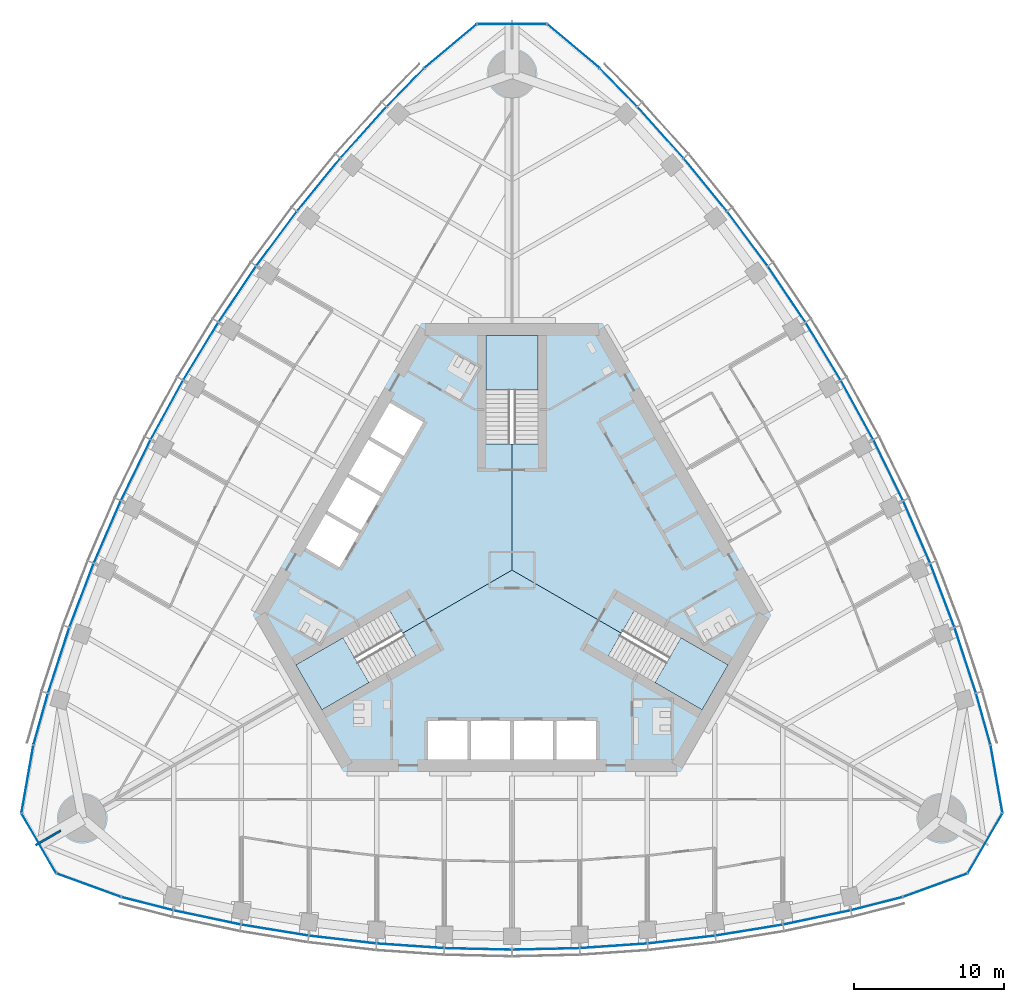
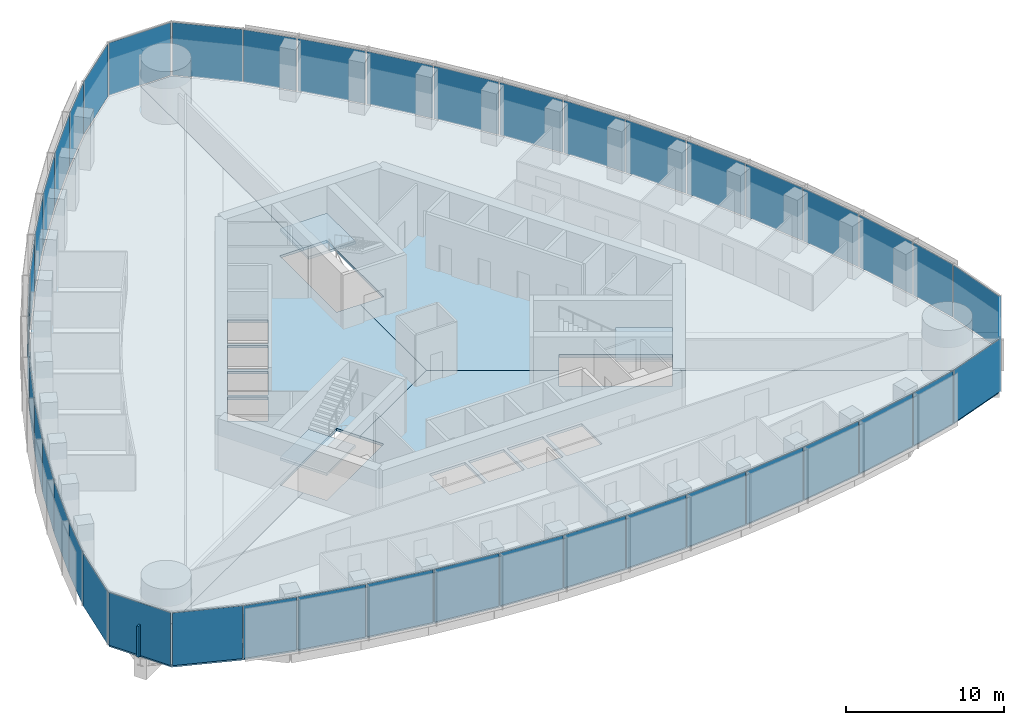
# One storey, part 10 of 20: 45 plates, 6 slabs, 1 wall, 9 elements without a shape of their own.
"""IFC4 building model written with IfcOpenShell, lengths in metres."""

import ifcopenshell
import ifcopenshell.guid

model = None  # the IFC model being written
_history = None  # IfcOwnerHistory: only IFC2X3 demands one
_inside = {}  # id of a spatial element -> (the spatial element, [elements in it])
_under = {}  # id of a project, library or spatial element -> (it, [spatial elements below it])
_declared = {}  # id of a project -> (the project, [libraries it declares])
_typed = {}  # id of a type object -> (the type object, [elements of that type])
_made_of = {}  # id of a material, layer set ... -> (it, [elements and type objects made of it])


def new_model(schema):
    """Start an empty IFC model of exactly this schema.

    Asked for "IFC4X3", IfcOpenShell would pick the latest addendum, in which some entities
    have other attributes; the version numbers below select the first issue.
    IFC2X3 requires an IfcOwnerHistory on every rooted entity: one is made here for all.
    """
    global model, _history
    if schema == "IFC4X3":
        model = ifcopenshell.file(schema_version=(4, 3, 0, 0))
    else:
        model = ifcopenshell.file(schema=schema)
    _inside.clear()
    _under.clear()
    _declared.clear()
    _typed.clear()
    _made_of.clear()
    _history = None
    if model.schema == "IFC2X3":
        org = make("IfcOrganization", Name="unknown")
        user = make(
            "IfcPersonAndOrganization",
            ThePerson=make("IfcPerson", FamilyName="unknown"),
            TheOrganization=org,
        )
        app = make(
            "IfcApplication",
            ApplicationDeveloper=org,
            Version="unknown",
            ApplicationFullName="unknown",
            ApplicationIdentifier="unknown",
        )
        _history = make(
            "IfcOwnerHistory",
            OwningUser=user,
            OwningApplication=app,
            ChangeAction="ADDED",
            CreationDate=0,
        )
    return model


def make(cls, **values):
    """One entity of the class cls with the attributes given. An attribute that is None is left unset."""
    return model.create_entity(
        cls, **{name: value for name, value in values.items() if value is not None}
    )


def rooted(cls, **values):
    """An entity with a GlobalId (a new one), such as an element, a storey or a relation."""
    return make(cls, GlobalId=ifcopenshell.guid.new(), OwnerHistory=_history, **values)


def si_unit(unit_type, name, prefix=None):
    """IfcSIUnit, for example si_unit("LENGTHUNIT", "METRE", prefix="MILLI")."""
    return make("IfcSIUnit", UnitType=unit_type, Prefix=prefix, Name=name)


def assignment(units):
    """IfcUnitAssignment: the units of a project."""
    return None if units is None else make("IfcUnitAssignment", Units=units)


def point(xyz):
    """IfcCartesianPoint."""
    return None if xyz is None else make("IfcCartesianPoint", Coordinates=xyz)


def direction(xyz):
    """IfcDirection."""
    return None if xyz is None else make("IfcDirection", DirectionRatios=xyz)


def frame(location, z_axis=None, x_axis=None):
    """IfcAxis2Placement3D, a coordinate frame: its origin and axes. An axis left out is left unset."""
    return make(
        "IfcAxis2Placement3D",
        Location=point(location),
        Axis=direction(z_axis),
        RefDirection=direction(x_axis),
    )


def frame_2d(location, x_axis=None):
    """IfcAxis2Placement2D, a coordinate frame in the plane: its origin and x axis."""
    return make(
        "IfcAxis2Placement2D", Location=point(location), RefDirection=direction(x_axis)
    )


def origin():
    """The frame at (0, 0, 0) with its axes left unset."""
    return frame((0.0, 0.0, 0.0))


def origin_2d():
    """The frame at (0, 0) in the plane with its x axis left unset."""
    return frame_2d((0.0, 0.0))


def place(relative_to, where):
    """IfcLocalPlacement: puts the frame where relative to a parent placement (None: the world)."""
    return make(
        "IfcLocalPlacement", PlacementRelTo=relative_to, RelativePlacement=where
    )


def context(
    kind, dimensions, precision=None, world=None, true_north=None, identifier=None
):
    """IfcGeometricRepresentationContext, for example the 3D "Model" context."""
    return make(
        "IfcGeometricRepresentationContext",
        ContextIdentifier=identifier,
        ContextType=kind,
        CoordinateSpaceDimension=dimensions,
        Precision=precision,
        WorldCoordinateSystem=world,
        TrueNorth=true_north,
    )


def subcontext(parent, identifier, kind, view, scale=None):
    """IfcGeometricRepresentationSubContext, for example "Body" below "Model"."""
    return make(
        "IfcGeometricRepresentationSubContext",
        ContextIdentifier=identifier,
        ContextType=kind,
        ParentContext=parent,
        TargetScale=scale,
        TargetView=view,
    )


def project(units=None, contexts=None):
    """IfcProject with its units and contexts."""
    return rooted(
        "IfcProject",
        Name="project",
        RepresentationContexts=contexts,
        UnitsInContext=assignment(units),
    )


def spatial(cls, under=None, at=None, **own):
    """A site, building, storey or space (cls), placed at a placement, below another one or the project."""
    s = rooted(cls, ObjectPlacement=at, **own)
    if under is not None:
        _under.setdefault(under.id(), (under, []))[1].append(s)
    return s


def polyline(points):
    """IfcPolyline through the points."""
    return make("IfcPolyline", Points=[point(p) for p in points])


def profile(cls, at=None, kind="AREA", **sizes):
    """A parametric profile (cls). Its sizes go by their IFC names, for example OverallWidth=200.0."""
    return make(cls, ProfileType=kind, Position=at, **sizes)


def rectangle(**sizes):
    """IfcRectangleProfileDef."""
    return profile("IfcRectangleProfileDef", **sizes)


def outline(outer, holes=None, kind="AREA"):
    """IfcArbitraryClosedProfileDef: a profile drawn as a closed curve; with holes, ...WithVoids."""
    if holes is None:
        return make("IfcArbitraryClosedProfileDef", ProfileType=kind, OuterCurve=outer)
    return make(
        "IfcArbitraryProfileDefWithVoids",
        ProfileType=kind,
        OuterCurve=outer,
        InnerCurves=holes,
    )


def extrude(swept, where, along, depth):
    """IfcExtrudedAreaSolid: the profile swept, set in the frame where, extruded along a direction by depth."""
    return make(
        "IfcExtrudedAreaSolid",
        SweptArea=swept,
        Position=where,
        ExtrudedDirection=direction(along),
        Depth=depth,
    )


def shape(context_of_items, identifier, shape_type, items):
    """IfcShapeRepresentation: the items that make up one representation, for example the "Body"."""
    return make(
        "IfcShapeRepresentation",
        ContextOfItems=context_of_items,
        RepresentationIdentifier=identifier,
        RepresentationType=shape_type,
        Items=items,
    )


def material(Name=None, Category=None):
    """IfcMaterial."""
    return make("IfcMaterial", Name=Name, Category=Category)


def layer(
    of_material, thickness, ventilated=None, Name=None, Category=None, Priority=None
):
    """IfcMaterialLayer: one layer of a wall or slab, of a material (None: an air gap)."""
    return make(
        "IfcMaterialLayer",
        Material=of_material,
        LayerThickness=thickness,
        IsVentilated=ventilated,
        Name=Name,
        Category=Category,
        Priority=Priority,
    )


def layer_set(layers, Name=None):
    """IfcMaterialLayerSet."""
    return make("IfcMaterialLayerSet", MaterialLayers=layers, LayerSetName=Name)


def made_of(thing, what):
    """Note that an element or type object is made of a material, layer set ...; save() writes the relation."""
    if what is not None:
        _made_of.setdefault(what.id(), (what, []))[1].append(thing)
    return thing


def type_object(cls, material=None, **own):
    """A type object (cls), such as IfcWallType, which elements share."""
    return made_of(rooted(cls, **own), material)


def element(
    cls,
    number,
    at=None,
    inside=None,
    cuts=None,
    type_object=None,
    material=None,
    context=None,
    identifier="Body",
    shape_type=None,
    held_by="IfcProductDefinitionShape",
    body=None,
    shapes=None,
    **own,
):
    """One element of the class cls, such as IfcWall. Its Tag is "e" and its number.

    at: its placement. inside: the storey or other place that contains it. cuts: it is an
    opening in that element (IfcRelVoidsElement). A single representation is given by context,
    identifier, shape_type and body (its items); several are given by shapes. held_by: the class
    of the entity that holds the representations. save() writes the other relations.
    """
    e = rooted(cls, Tag="e%d" % number, ObjectPlacement=at, **own)
    if body is not None:
        shapes = [shape(context, identifier, shape_type, body)]
    if shapes is not None:
        e.Representation = make(held_by, Representations=shapes)
    if inside is not None:
        _inside.setdefault(inside.id(), (inside, []))[1].append(e)
    if cuts is not None:
        rooted(
            "IfcRelVoidsElement", RelatingBuildingElement=cuts, RelatedOpeningElement=e
        )
    if type_object is not None:
        _typed.setdefault(type_object.id(), (type_object, []))[1].append(e)
    return made_of(e, material)


def aggregate(whole, parts):
    """IfcRelAggregates: a whole, such as a stair, and the parts it consists of."""
    return rooted("IfcRelAggregates", RelatingObject=whole, RelatedObjects=parts)


def save(model, path):
    """Write the relations noted so far, then the file.

    IfcRelAggregates (storeys below a building ...), IfcRelContainedInSpatialStructure (elements
    in a storey), IfcRelDefinesByType, IfcRelAssociatesMaterial and IfcRelDeclares: one each for
    every whole, place, type object, material and project.
    """
    for whole, parts in _under.values():
        aggregate(whole, parts)
    for where, things in _inside.values():
        rooted(
            "IfcRelContainedInSpatialStructure",
            RelatedElements=things,
            RelatingStructure=where,
        )
    for kind, things in _typed.values():
        rooted("IfcRelDefinesByType", RelatedObjects=things, RelatingType=kind)
    for what, things in _made_of.values():
        rooted("IfcRelAssociatesMaterial", RelatedObjects=things, RelatingMaterial=what)
    for by, libraries in _declared.values():
        rooted("IfcRelDeclares", RelatingContext=by, RelatedDefinitions=libraries)
    model.write(path)


model = new_model("IFC4")

# Units and contexts
model_context = context("Model", 3, precision=1e-05, world=origin(), true_north=direction((0.0, 1.0)))
body_context = subcontext(model_context, "Body", "Model", "MODEL_VIEW")
ifc_project = project(units=[si_unit("LENGTHUNIT", "METRE"), si_unit("AREAUNIT", "SQUARE_METRE"), si_unit("VOLUMEUNIT", "CUBIC_METRE"), si_unit("PLANEANGLEUNIT", "RADIAN"), si_unit("MASSUNIT", "GRAM", prefix="KILO")], contexts=[model_context])

# Site, building, storey
site_placement = place(None, origin())
site = spatial("IfcSite", under=ifc_project, at=site_placement, CompositionType="ELEMENT")
building_placement = place(site_placement, origin())
building = spatial("IfcBuilding", under=site, at=building_placement, Name="Trefoil Bronze Tower", CompositionType="ELEMENT")
storey_placement = place(building_placement, frame((0.0, 0.0, 214.89990234375)))
storey = spatial("IfcBuildingStorey", under=building, at=storey_placement, Name="L49", CompositionType="ELEMENT", Elevation=214.89990234375)

# Curtain wall, plates
ifc_material_1 = material(Name="Tinted solar-control glass", Category="glass")
curtain_wall_type_1 = type_object("IfcCurtainWallType", Name="Bronze office curtain wall", PredefinedType="USERDEFINED", material=ifc_material_1)
curtain_wall_1_placement = place(storey_placement, origin())
curtain_wall_1 = element("IfcCurtainWall", 1, at=curtain_wall_1_placement, inside=storey, type_object=curtain_wall_type_1, Name="CW-A L49 F1", ObjectType="CURTAIN WALL", PredefinedType="USERDEFINED")
ifc_material_2 = material(Name="Tinted solar-control glass", Category="glass")
ifc_layer_1 = layer(ifc_material_2, 0.030029296875)
ifc_layer_set_1 = layer_set([ifc_layer_1], Name="Bronze office curtain wall glass panel")
plate_type_1 = type_object("IfcPlateType", Name="Bronze office curtain wall glass panel", PredefinedType="CURTAIN_PANEL", material=ifc_layer_set_1)
plate_1_placement = place(storey_placement, frame((-24.251220703125, -22.188232421875, 0.0), z_axis=(0.0, 0.0, 1.0), x_axis=(0.968934035393, -0.247319297786, 0.0)))
plate_1 = element("IfcPlate", 2, at=plate_1_placement, type_object=plate_type_1, Name="CW-A L49 F1 panel 1", PredefinedType="CURTAIN_PANEL", context=body_context, shape_type="SweptSolid", body=[
    extrude(rectangle(XDim=3.483642578125, YDim=0.030029296875, at=origin_2d()), origin(), (0.0, 0.0, 1.0), 4.080078125),
])
plate_2_placement = place(storey_placement, frame((-20.270751953125, -23.105224609375, 0.0), z_axis=(0.0, 0.0, 1.0), x_axis=(0.978394335897, -0.20674748725, 0.0)))
plate_2 = element("IfcPlate", 3, at=plate_2_placement, type_object=plate_type_1, Name="CW-A L49 F1 panel 2", PredefinedType="CURTAIN_PANEL", context=body_context, shape_type="SweptSolid", body=[
    extrude(rectangle(XDim=4.519287109375, YDim=0.030029296875, at=origin_2d()), origin(), (0.0, 0.0, 1.0), 4.080078125),
])
plate_3_placement = place(storey_placement, frame((-15.76611328125, -23.9482421875, 0.0), z_axis=(0.0, 0.0, 1.0), x_axis=(0.986986549528, -0.160802832848, 0.0)))
plate_3 = element("IfcPlate", 4, at=plate_3_placement, type_object=plate_type_1, Name="CW-A L49 F1 panel 3", PredefinedType="CURTAIN_PANEL", context=body_context, shape_type="SweptSolid", body=[
    extrude(rectangle(XDim=4.479248046875, YDim=0.030029296875, at=origin_2d()), origin(), (0.0, 0.0, 1.0), 4.080078125),
])
plate_4_placement = place(storey_placement, frame((-11.261474609375, -24.57568359375, 0.0), z_axis=(0.0, 0.0, 1.0), x_axis=(0.993381831741, -0.114858767043, 0.0)))
plate_4 = element("IfcPlate", 5, at=plate_4_placement, type_object=plate_type_1, Name="CW-A L49 F1 panel 4", PredefinedType="CURTAIN_PANEL", context=body_context, shape_type="SweptSolid", body=[
    extrude(rectangle(XDim=4.449951171875, YDim=0.030029296875, at=origin_2d()), origin(), (0.0, 0.0, 1.0), 4.080078125),
])
plate_5_placement = place(storey_placement, frame((-6.7568359375, -24.991455078125, 0.0), z_axis=(0.0, 0.0, 1.0), x_axis=(0.99762252804, -0.068915103905, 0.0)))
plate_5 = element("IfcPlate", 6, at=plate_5_placement, type_object=plate_type_1, Name="CW-A L49 F1 panel 5", PredefinedType="CURTAIN_PANEL", context=body_context, shape_type="SweptSolid", body=[
    extrude(rectangle(XDim=4.4306640625, YDim=0.030029296875, at=origin_2d()), origin(), (0.0, 0.0, 1.0), 4.080078125),
])
plate_6_placement = place(storey_placement, frame((-2.252197265625, -25.198974609375, 0.0), z_axis=(0.0, 0.0, 1.0), x_axis=(0.999736116243, -0.022971675577, 0.0)))
plate_6 = element("IfcPlate", 7, at=plate_6_placement, type_object=plate_type_1, Name="CW-A L49 F1 panel 6", PredefinedType="CURTAIN_PANEL", context=body_context, shape_type="SweptSolid", body=[
    extrude(rectangle(XDim=4.421142578125, YDim=0.030029296875, at=origin_2d()), origin(), (0.0, 0.0, 1.0), 4.080078125),
])
plate_7_placement = place(storey_placement, frame((2.252197265625, -25.198974609375, 0.0), z_axis=(0.0, 0.0, 1.0), x_axis=(0.999736116243, 0.022971675577, 0.0)))
plate_7 = element("IfcPlate", 8, at=plate_7_placement, type_object=plate_type_1, Name="CW-A L49 F1 panel 7", PredefinedType="CURTAIN_PANEL", context=body_context, shape_type="SweptSolid", body=[
    extrude(rectangle(XDim=4.421142578125, YDim=0.030029296875, at=origin_2d()), origin(), (0.0, 0.0, 1.0), 4.080078125),
])
plate_8_placement = place(storey_placement, frame((6.7568359375, -24.991455078125, 0.0), z_axis=(0.0, 0.0, 1.0), x_axis=(0.99762252804, 0.068915103905, 0.0)))
plate_8 = element("IfcPlate", 9, at=plate_8_placement, type_object=plate_type_1, Name="CW-A L49 F1 panel 8", PredefinedType="CURTAIN_PANEL", context=body_context, shape_type="SweptSolid", body=[
    extrude(rectangle(XDim=4.4306640625, YDim=0.030029296875, at=origin_2d()), origin(), (0.0, 0.0, 1.0), 4.080078125),
])
plate_9_placement = place(storey_placement, frame((11.261474609375, -24.57568359375, 0.0), z_axis=(0.0, 0.0, 1.0), x_axis=(0.993381831741, 0.114858767043, 0.0)))
plate_9 = element("IfcPlate", 10, at=plate_9_placement, type_object=plate_type_1, Name="CW-A L49 F1 panel 9", PredefinedType="CURTAIN_PANEL", context=body_context, shape_type="SweptSolid", body=[
    extrude(rectangle(XDim=4.449951171875, YDim=0.030029296875, at=origin_2d()), origin(), (0.0, 0.0, 1.0), 4.080078125),
])
plate_10_placement = place(storey_placement, frame((15.76611328125, -23.9482421875, 0.0), z_axis=(0.0, 0.0, 1.0), x_axis=(0.986986549528, 0.160802832848, 0.0)))
plate_10 = element("IfcPlate", 11, at=plate_10_placement, type_object=plate_type_1, Name="CW-A L49 F1 panel 10", PredefinedType="CURTAIN_PANEL", context=body_context, shape_type="SweptSolid", body=[
    extrude(rectangle(XDim=4.479248046875, YDim=0.030029296875, at=origin_2d()), origin(), (0.0, 0.0, 1.0), 4.080078125),
])
plate_11_placement = place(storey_placement, frame((20.270751953125, -23.105224609375, 0.0), z_axis=(0.0, 0.0, 1.0), x_axis=(0.978394335897, 0.20674748725, 0.0)))
plate_11 = element("IfcPlate", 12, at=plate_11_placement, type_object=plate_type_1, Name="CW-A L49 F1 panel 11", PredefinedType="CURTAIN_PANEL", context=body_context, shape_type="SweptSolid", body=[
    extrude(rectangle(XDim=4.519287109375, YDim=0.030029296875, at=origin_2d()), origin(), (0.0, 0.0, 1.0), 4.080078125),
])
plate_12_placement = place(storey_placement, frame((24.251220703125, -22.188232421875, 0.0), z_axis=(0.0, 0.0, 1.0), x_axis=(0.968934035393, 0.247319297786, 0.0)))
plate_12 = element("IfcPlate", 13, at=plate_12_placement, type_object=plate_type_1, Name="CW-A L49 F1 panel 12", PredefinedType="CURTAIN_PANEL", context=body_context, shape_type="SweptSolid", body=[
    extrude(rectangle(XDim=3.483642578125, YDim=0.030029296875, at=origin_2d()), origin(), (0.0, 0.0, 1.0), 4.080078125),
])
aggregate(curtain_wall_1, [plate_1, plate_2, plate_3, plate_4, plate_5, plate_6, plate_7, plate_8, plate_9, plate_10, plate_11, plate_12])

curtain_wall_2_placement = place(storey_placement, origin())
curtain_wall_2 = element("IfcCurtainWall", 14, at=curtain_wall_2_placement, inside=storey, type_object=curtain_wall_type_1, Name="CW-A L49 F2", ObjectType="CURTAIN WALL", PredefinedType="USERDEFINED")
plate_13_placement = place(storey_placement, frame((31.341064453125, -9.907958984375, 0.0), z_axis=(0.0, 0.0, 1.0), x_axis=(-0.270282222968, 0.962781138134, 0.0)))
plate_13 = element("IfcPlate", 15, at=plate_13_placement, type_object=plate_type_1, Name="CW-A L49 F2 panel 1", PredefinedType="CURTAIN_PANEL", context=body_context, shape_type="SweptSolid", body=[
    extrude(rectangle(XDim=3.483642578125, YDim=0.030029296875, at=origin_2d()), origin(), (0.0, 0.0, 1.0), 4.080078125),
])
plate_14_placement = place(storey_placement, frame((30.14501953125, -6.002197265625, 0.0), z_axis=(0.0, 0.0, 1.0), x_axis=(-0.310148591821, 0.950688093431, 0.0)))
plate_14 = element("IfcPlate", 16, at=plate_14_placement, type_object=plate_type_1, Name="CW-A L49 F2 panel 2", PredefinedType="CURTAIN_PANEL", context=body_context, shape_type="SweptSolid", body=[
    extrude(rectangle(XDim=4.519287109375, YDim=0.030029296875, at=origin_2d()), origin(), (0.0, 0.0, 1.0), 4.080078125),
])
plate_15_placement = place(storey_placement, frame((28.622802734375, -1.6796875, 0.0), z_axis=(0.0, 0.0, 1.0), x_axis=(-0.354233936517, 0.935156841508, 0.0)))
plate_15 = element("IfcPlate", 17, at=plate_15_placement, type_object=plate_type_1, Name="CW-A L49 F2 panel 3", PredefinedType="CURTAIN_PANEL", context=body_context, shape_type="SweptSolid", body=[
    extrude(rectangle(XDim=4.479248046875, YDim=0.030029296875, at=origin_2d()), origin(), (0.0, 0.0, 1.0), 4.080078125),
])
plate_16_placement = place(storey_placement, frame((26.913818359375, 2.53515625, 0.0), z_axis=(0.0, 0.0, 1.0), x_axis=(-0.397220305764, 0.917723285467, 0.0)))
plate_16 = element("IfcPlate", 18, at=plate_16_placement, type_object=plate_type_1, Name="CW-A L49 F2 panel 4", PredefinedType="CURTAIN_PANEL", context=body_context, shape_type="SweptSolid", body=[
    extrude(rectangle(XDim=4.449951171875, YDim=0.030029296875, at=origin_2d()), origin(), (0.0, 0.0, 1.0), 4.080078125),
])
plate_17_placement = place(storey_placement, frame((25.021728515625, 6.64404296875, 0.0), z_axis=(0.0, 0.0, 1.0), x_axis=(-0.439129033334, 0.898424004623, 0.0)))
plate_17 = element("IfcPlate", 19, at=plate_17_placement, type_object=plate_type_1, Name="CW-A L49 F2 panel 5", PredefinedType="CURTAIN_PANEL", context=body_context, shape_type="SweptSolid", body=[
    extrude(rectangle(XDim=4.4306640625, YDim=0.030029296875, at=origin_2d()), origin(), (0.0, 0.0, 1.0), 4.080078125),
])
plate_18_placement = place(storey_placement, frame((22.948974609375, 10.64892578125, 0.0), z_axis=(0.0, 0.0, 1.0), x_axis=(-0.479974003504, 0.877282711536, 0.0)))
plate_18 = element("IfcPlate", 20, at=plate_18_placement, type_object=plate_type_1, Name="CW-A L49 F2 panel 6", PredefinedType="CURTAIN_PANEL", context=body_context, shape_type="SweptSolid", body=[
    extrude(rectangle(XDim=4.421142578125, YDim=0.030029296875, at=origin_2d()), origin(), (0.0, 0.0, 1.0), 4.080078125),
])
plate_19_placement = place(storey_placement, frame((20.69677734375, 14.550048828125, 0.0), z_axis=(0.0, 0.0, 1.0), x_axis=(-0.519762112739, 0.854311035959, 0.0)))
plate_19 = element("IfcPlate", 21, at=plate_19_placement, type_object=plate_type_1, Name="CW-A L49 F2 panel 7", PredefinedType="CURTAIN_PANEL", context=body_context, shape_type="SweptSolid", body=[
    extrude(rectangle(XDim=4.421142578125, YDim=0.030029296875, at=origin_2d()), origin(), (0.0, 0.0, 1.0), 4.080078125),
])
plate_20_placement = place(storey_placement, frame((18.264892578125, 18.347412109375, 0.0), z_axis=(0.0, 0.0, 1.0), x_axis=(-0.558493494706, 0.829508900718, 0.0)))
plate_20 = element("IfcPlate", 22, at=plate_20_placement, type_object=plate_type_1, Name="CW-A L49 F2 panel 8", PredefinedType="CURTAIN_PANEL", context=body_context, shape_type="SweptSolid", body=[
    extrude(rectangle(XDim=4.4306640625, YDim=0.030029296875, at=origin_2d()), origin(), (0.0, 0.0, 1.0), 4.080078125),
])
plate_21_placement = place(storey_placement, frame((15.65234375, 22.04052734375, 0.0), z_axis=(0.0, 0.0, 1.0), x_axis=(-0.596161525977, 0.802864518425, 0.0)))
plate_21 = element("IfcPlate", 23, at=plate_21_placement, type_object=plate_type_1, Name="CW-A L49 F2 panel 9", PredefinedType="CURTAIN_PANEL", context=body_context, shape_type="SweptSolid", body=[
    extrude(rectangle(XDim=4.449951171875, YDim=0.030029296875, at=origin_2d()), origin(), (0.0, 0.0, 1.0), 4.080078125),
])
plate_22_placement = place(storey_placement, frame((12.856689453125, 25.6279296875, 0.0), z_axis=(0.0, 0.0, 1.0), x_axis=(-0.63275261301, 0.774354008661, 0.0)))
plate_22 = element("IfcPlate", 24, at=plate_22_placement, type_object=plate_type_1, Name="CW-A L49 F2 panel 10", PredefinedType="CURTAIN_PANEL", context=body_context, shape_type="SweptSolid", body=[
    extrude(rectangle(XDim=4.479248046875, YDim=0.030029296875, at=origin_2d()), origin(), (0.0, 0.0, 1.0), 4.080078125),
])
plate_23_placement = place(storey_placement, frame((9.87451171875, 29.107666015625, 0.0), z_axis=(0.0, 0.0, 1.0), x_axis=(-0.668245744076, 0.743940606181, 0.0)))
plate_23 = element("IfcPlate", 25, at=plate_23_placement, type_object=plate_type_1, Name="CW-A L49 F2 panel 11", PredefinedType="CURTAIN_PANEL", context=body_context, shape_type="SweptSolid", body=[
    extrude(rectangle(XDim=4.519287109375, YDim=0.030029296875, at=origin_2d()), origin(), (0.0, 0.0, 1.0), 4.080078125),
])
plate_24_placement = place(storey_placement, frame((7.08984375, 32.09619140625, 0.0), z_axis=(0.0, 0.0, 1.0), x_axis=(-0.698651812425, 0.715461840349, 0.0)))
plate_24 = element("IfcPlate", 26, at=plate_24_placement, type_object=plate_type_1, Name="CW-A L49 F2 panel 12", PredefinedType="CURTAIN_PANEL", context=body_context, shape_type="SweptSolid", body=[
    extrude(rectangle(XDim=3.483642578125, YDim=0.030029296875, at=origin_2d()), origin(), (0.0, 0.0, 1.0), 4.080078125),
])
aggregate(curtain_wall_2, [plate_13, plate_14, plate_15, plate_16, plate_17, plate_18, plate_19, plate_20, plate_21, plate_22, plate_23, plate_24])

curtain_wall_3_placement = place(storey_placement, origin())
curtain_wall_3 = element("IfcCurtainWall", 27, at=curtain_wall_3_placement, inside=storey, type_object=curtain_wall_type_1, Name="CW-A L49 F3", ObjectType="CURTAIN WALL", PredefinedType="USERDEFINED")
plate_25_placement = place(storey_placement, frame((-7.08984375, 32.09619140625, 0.0), z_axis=(0.0, 0.0, 1.0), x_axis=(-0.698651812425, -0.715461840349, 0.0)))
plate_25 = element("IfcPlate", 28, at=plate_25_placement, type_object=plate_type_1, Name="CW-A L49 F3 panel 1", PredefinedType="CURTAIN_PANEL", context=body_context, shape_type="SweptSolid", body=[
    extrude(rectangle(XDim=3.483642578125, YDim=0.030029296875, at=origin_2d()), origin(), (0.0, 0.0, 1.0), 4.080078125),
])
plate_26_placement = place(storey_placement, frame((-9.87451171875, 29.107666015625, 0.0), z_axis=(0.0, 0.0, 1.0), x_axis=(-0.668245744076, -0.743940606181, 0.0)))
plate_26 = element("IfcPlate", 29, at=plate_26_placement, type_object=plate_type_1, Name="CW-A L49 F3 panel 2", PredefinedType="CURTAIN_PANEL", context=body_context, shape_type="SweptSolid", body=[
    extrude(rectangle(XDim=4.519287109375, YDim=0.030029296875, at=origin_2d()), origin(), (0.0, 0.0, 1.0), 4.080078125),
])
plate_27_placement = place(storey_placement, frame((-12.856689453125, 25.6279296875, 0.0), z_axis=(0.0, 0.0, 1.0), x_axis=(-0.63275261301, -0.774354008661, 0.0)))
plate_27 = element("IfcPlate", 30, at=plate_27_placement, type_object=plate_type_1, Name="CW-A L49 F3 panel 3", PredefinedType="CURTAIN_PANEL", context=body_context, shape_type="SweptSolid", body=[
    extrude(rectangle(XDim=4.479248046875, YDim=0.030029296875, at=origin_2d()), origin(), (0.0, 0.0, 1.0), 4.080078125),
])
plate_28_placement = place(storey_placement, frame((-15.65234375, 22.04052734375, 0.0), z_axis=(0.0, 0.0, 1.0), x_axis=(-0.596161525977, -0.802864518425, 0.0)))
plate_28 = element("IfcPlate", 31, at=plate_28_placement, type_object=plate_type_1, Name="CW-A L49 F3 panel 4", PredefinedType="CURTAIN_PANEL", context=body_context, shape_type="SweptSolid", body=[
    extrude(rectangle(XDim=4.449951171875, YDim=0.030029296875, at=origin_2d()), origin(), (0.0, 0.0, 1.0), 4.080078125),
])
plate_29_placement = place(storey_placement, frame((-18.264892578125, 18.347412109375, 0.0), z_axis=(0.0, 0.0, 1.0), x_axis=(-0.558493494706, -0.829508900718, 0.0)))
plate_29 = element("IfcPlate", 32, at=plate_29_placement, type_object=plate_type_1, Name="CW-A L49 F3 panel 5", PredefinedType="CURTAIN_PANEL", context=body_context, shape_type="SweptSolid", body=[
    extrude(rectangle(XDim=4.4306640625, YDim=0.030029296875, at=origin_2d()), origin(), (0.0, 0.0, 1.0), 4.080078125),
])
plate_30_placement = place(storey_placement, frame((-20.69677734375, 14.550048828125, 0.0), z_axis=(0.0, 0.0, 1.0), x_axis=(-0.519762112739, -0.854311035959, 0.0)))
plate_30 = element("IfcPlate", 33, at=plate_30_placement, type_object=plate_type_1, Name="CW-A L49 F3 panel 6", PredefinedType="CURTAIN_PANEL", context=body_context, shape_type="SweptSolid", body=[
    extrude(rectangle(XDim=4.421142578125, YDim=0.030029296875, at=origin_2d()), origin(), (0.0, 0.0, 1.0), 4.080078125),
])
plate_31_placement = place(storey_placement, frame((-22.948974609375, 10.64892578125, 0.0), z_axis=(0.0, 0.0, 1.0), x_axis=(-0.479974003504, -0.877282711536, 0.0)))
plate_31 = element("IfcPlate", 34, at=plate_31_placement, type_object=plate_type_1, Name="CW-A L49 F3 panel 7", PredefinedType="CURTAIN_PANEL", context=body_context, shape_type="SweptSolid", body=[
    extrude(rectangle(XDim=4.421142578125, YDim=0.030029296875, at=origin_2d()), origin(), (0.0, 0.0, 1.0), 4.080078125),
])
plate_32_placement = place(storey_placement, frame((-25.021728515625, 6.64404296875, 0.0), z_axis=(0.0, 0.0, 1.0), x_axis=(-0.439129033334, -0.898424004623, 0.0)))
plate_32 = element("IfcPlate", 35, at=plate_32_placement, type_object=plate_type_1, Name="CW-A L49 F3 panel 8", PredefinedType="CURTAIN_PANEL", context=body_context, shape_type="SweptSolid", body=[
    extrude(rectangle(XDim=4.4306640625, YDim=0.030029296875, at=origin_2d()), origin(), (0.0, 0.0, 1.0), 4.080078125),
])
plate_33_placement = place(storey_placement, frame((-26.913818359375, 2.53515625, 0.0), z_axis=(0.0, 0.0, 1.0), x_axis=(-0.397220305764, -0.917723285467, 0.0)))
plate_33 = element("IfcPlate", 36, at=plate_33_placement, type_object=plate_type_1, Name="CW-A L49 F3 panel 9", PredefinedType="CURTAIN_PANEL", context=body_context, shape_type="SweptSolid", body=[
    extrude(rectangle(XDim=4.449951171875, YDim=0.030029296875, at=origin_2d()), origin(), (0.0, 0.0, 1.0), 4.080078125),
])
plate_34_placement = place(storey_placement, frame((-28.622802734375, -1.6796875, 0.0), z_axis=(0.0, 0.0, 1.0), x_axis=(-0.354233936517, -0.935156841508, 0.0)))
plate_34 = element("IfcPlate", 37, at=plate_34_placement, type_object=plate_type_1, Name="CW-A L49 F3 panel 10", PredefinedType="CURTAIN_PANEL", context=body_context, shape_type="SweptSolid", body=[
    extrude(rectangle(XDim=4.479248046875, YDim=0.030029296875, at=origin_2d()), origin(), (0.0, 0.0, 1.0), 4.080078125),
])
plate_35_placement = place(storey_placement, frame((-30.14501953125, -6.002197265625, 0.0), z_axis=(0.0, 0.0, 1.0), x_axis=(-0.310148591821, -0.950688093431, 0.0)))
plate_35 = element("IfcPlate", 38, at=plate_35_placement, type_object=plate_type_1, Name="CW-A L49 F3 panel 11", PredefinedType="CURTAIN_PANEL", context=body_context, shape_type="SweptSolid", body=[
    extrude(rectangle(XDim=4.519287109375, YDim=0.030029296875, at=origin_2d()), origin(), (0.0, 0.0, 1.0), 4.080078125),
])
plate_36_placement = place(storey_placement, frame((-31.341064453125, -9.907958984375, 0.0), z_axis=(0.0, 0.0, 1.0), x_axis=(-0.270282222968, -0.962781138134, 0.0)))
plate_36 = element("IfcPlate", 39, at=plate_36_placement, type_object=plate_type_1, Name="CW-A L49 F3 panel 12", PredefinedType="CURTAIN_PANEL", context=body_context, shape_type="SweptSolid", body=[
    extrude(rectangle(XDim=3.483642578125, YDim=0.030029296875, at=origin_2d()), origin(), (0.0, 0.0, 1.0), 4.080078125),
])
aggregate(curtain_wall_3, [plate_25, plate_26, plate_27, plate_28, plate_29, plate_30, plate_31, plate_32, plate_33, plate_34, plate_35, plate_36])

ifc_material_3 = material(Name="Tinted solar-control glass", Category="glass")
curtain_wall_type_2 = type_object("IfcCurtainWallType", Name="Bronze rounded corner curtain wall", PredefinedType="USERDEFINED", material=ifc_material_3)
curtain_wall_4_placement = place(storey_placement, origin())
curtain_wall_4 = element("IfcCurtainWall", 40, at=curtain_wall_4_placement, inside=storey, type_object=curtain_wall_type_2, Name="CW-B L49 K1", ObjectType="CURTAIN WALL", PredefinedType="USERDEFINED")
ifc_material_4 = material(Name="Tinted solar-control glass", Category="glass")
ifc_layer_2 = layer(ifc_material_4, 0.030029296875)
ifc_layer_set_2 = layer_set([ifc_layer_2], Name="Bronze rounded corner curtain wall glass panel")
plate_type_2 = type_object("IfcPlateType", Name="Bronze rounded corner curtain wall glass panel", PredefinedType="CURTAIN_PANEL", material=ifc_layer_set_2)
plate_37_placement = place(storey_placement, frame((28.1298828125, -20.96484375, 0.0), z_axis=(0.0, 0.0, 1.0), x_axis=(0.939692620786, 0.342020143326, 0.0)))
plate_37 = element("IfcPlate", 41, at=plate_37_placement, type_object=plate_type_2, Name="CW-B L49 K1 panel 1", PredefinedType="CURTAIN_PANEL", context=body_context, shape_type="SweptSolid", body=[
    extrude(rectangle(XDim=4.500244140625, YDim=0.030029296875, at=origin_2d()), origin(), (0.0, 0.0, 1.0), 4.080078125),
])
plate_38_placement = place(storey_placement, frame((31.46484375, -18.166259765625, 0.0), z_axis=(0.0, 0.0, 1.0), x_axis=(0.5, 0.866025403784, 0.0)))
plate_38 = element("IfcPlate", 42, at=plate_38_placement, type_object=plate_type_2, Name="CW-B L49 K1 panel 2", PredefinedType="CURTAIN_PANEL", context=body_context, shape_type="SweptSolid", body=[
    extrude(rectangle(XDim=4.500244140625, YDim=0.030029296875, at=origin_2d()), origin(), (0.0, 0.0, 1.0), 4.080078125),
])
plate_39_placement = place(storey_placement, frame((32.220947265625, -13.878662109375, 0.0), z_axis=(0.0, 0.0, 1.0), x_axis=(-0.173648177667, 0.984807753012, 0.0)))
plate_39 = element("IfcPlate", 43, at=plate_39_placement, type_object=plate_type_2, Name="CW-B L49 K1 panel 3", PredefinedType="CURTAIN_PANEL", context=body_context, shape_type="SweptSolid", body=[
    extrude(rectangle(XDim=4.500244140625, YDim=0.030029296875, at=origin_2d()), origin(), (0.0, 0.0, 1.0), 4.080078125),
])
aggregate(curtain_wall_4, [plate_37, plate_38, plate_39])

curtain_wall_5_placement = place(storey_placement, origin())
curtain_wall_5 = element("IfcCurtainWall", 44, at=curtain_wall_5_placement, inside=storey, type_object=curtain_wall_type_2, Name="CW-B L49 K2", ObjectType="CURTAIN WALL", PredefinedType="USERDEFINED")
plate_40_placement = place(storey_placement, frame((4.091064453125, 34.843505859375, 0.0), z_axis=(0.0, 0.0, 1.0), x_axis=(-0.766044443119, 0.642787609687, 0.0)))
plate_40 = element("IfcPlate", 45, at=plate_40_placement, type_object=plate_type_2, Name="CW-B L49 K2 panel 1", PredefinedType="CURTAIN_PANEL", context=body_context, shape_type="SweptSolid", body=[
    extrude(rectangle(XDim=4.500244140625, YDim=0.030029296875, at=origin_2d()), origin(), (0.0, 0.0, 1.0), 4.080078125),
])
plate_41_placement = place(storey_placement, frame((0.0, 36.33251953125, 0.0), z_axis=(0.0, 0.0, 1.0), x_axis=(-1.0, 0.0, 0.0)))
plate_41 = element("IfcPlate", 46, at=plate_41_placement, type_object=plate_type_2, Name="CW-B L49 K2 panel 2", PredefinedType="CURTAIN_PANEL", context=body_context, shape_type="SweptSolid", body=[
    extrude(rectangle(XDim=4.500244140625, YDim=0.030029296875, at=origin_2d()), origin(), (0.0, 0.0, 1.0), 4.080078125),
])
plate_42_placement = place(storey_placement, frame((-4.091064453125, 34.843505859375, 0.0), z_axis=(0.0, 0.0, 1.0), x_axis=(-0.766044443119, -0.642787609687, 0.0)))
plate_42 = element("IfcPlate", 47, at=plate_42_placement, type_object=plate_type_2, Name="CW-B L49 K2 panel 3", PredefinedType="CURTAIN_PANEL", context=body_context, shape_type="SweptSolid", body=[
    extrude(rectangle(XDim=4.500244140625, YDim=0.030029296875, at=origin_2d()), origin(), (0.0, 0.0, 1.0), 4.080078125),
])
aggregate(curtain_wall_5, [plate_40, plate_41, plate_42])

curtain_wall_6_placement = place(storey_placement, origin())
curtain_wall_6 = element("IfcCurtainWall", 48, at=curtain_wall_6_placement, inside=storey, type_object=curtain_wall_type_2, Name="CW-B L49 K3", ObjectType="CURTAIN WALL", PredefinedType="USERDEFINED")
plate_43_placement = place(storey_placement, frame((-32.220947265625, -13.878662109375, 0.0), z_axis=(0.0, 0.0, 1.0), x_axis=(-0.173648177667, -0.984807753012, 0.0)))
plate_43 = element("IfcPlate", 49, at=plate_43_placement, type_object=plate_type_2, Name="CW-B L49 K3 panel 1", PredefinedType="CURTAIN_PANEL", context=body_context, shape_type="SweptSolid", body=[
    extrude(rectangle(XDim=4.500244140625, YDim=0.030029296875, at=origin_2d()), origin(), (0.0, 0.0, 1.0), 4.080078125),
])
plate_44_placement = place(storey_placement, frame((-31.46484375, -18.166259765625, 0.0), z_axis=(0.0, 0.0, 1.0), x_axis=(0.5, -0.866025403784, 0.0)))
plate_44 = element("IfcPlate", 50, at=plate_44_placement, type_object=plate_type_2, Name="CW-B L49 K3 panel 2", PredefinedType="CURTAIN_PANEL", context=body_context, shape_type="SweptSolid", body=[
    extrude(rectangle(XDim=4.500244140625, YDim=0.030029296875, at=origin_2d()), origin(), (0.0, 0.0, 1.0), 4.080078125),
])
plate_45_placement = place(storey_placement, frame((-28.1298828125, -20.96484375, 0.0), z_axis=(0.0, 0.0, 1.0), x_axis=(0.939692620786, -0.342020143326, 0.0)))
plate_45 = element("IfcPlate", 51, at=plate_45_placement, type_object=plate_type_2, Name="CW-B L49 K3 panel 3", PredefinedType="CURTAIN_PANEL", context=body_context, shape_type="SweptSolid", body=[
    extrude(rectangle(XDim=4.500244140625, YDim=0.030029296875, at=origin_2d()), origin(), (0.0, 0.0, 1.0), 4.080078125),
])
aggregate(curtain_wall_6, [plate_43, plate_44, plate_45])

# Slabs
ifc_material_5 = material(Name="Concrete B30", Category="concrete")
ifc_layer_3 = layer(ifc_material_5, 0.199951171875)
ifc_layer_set_3 = layer_set([ifc_layer_3], Name="Floor slab 200")
slab_type_1 = type_object("IfcSlabType", Name="Floor slab 200", PredefinedType="FLOOR", material=ifc_layer_set_3)
slab_1_placement = place(storey_placement, frame((0.0, 0.0, -0.199951171875)))
element("IfcSlab", 52, at=slab_1_placement, inside=storey, type_object=slab_type_1, Name="Floor slab L49 face 1", PredefinedType="FLOOR", context=body_context, shape_type="SweptSolid", body=[
    extrude(outline(polyline([(18.0, -23.48291015625), (13.5, -24.216064453125), (9.0, -24.736328125), (4.5, -25.047119140625), (0.0, -25.150634765625), (-4.5, -25.047119140625), (-9.0, -24.736328125), (-13.5, -24.216064453125), (-18.0, -23.48291015625), (-22.5, -22.531982421875), (-25.952880859375, -21.650634765625), (-30.23828125, -20.0908203125), (-31.37841796875, -18.1162109375), (-13.510009765625, -7.800048828125), (-12.6474609375, -9.2939453125), (-6.412109375, -5.69384765625), (-7.274658203125, -4.199951171875), (0.0, 0.0), (7.274658203125, -4.199951171875), (6.412109375, -5.69384765625), (12.6474609375, -9.2939453125), (13.510009765625, -7.800048828125), (31.37841796875, -18.1162109375), (30.23828125, -20.0908203125), (25.952880859375, -21.650634765625), (22.5, -22.531982421875), (18.0, -23.48291015625)]), holes=[polyline([(-5.574951171875, -10.02490234375), (-2.97509765625, -10.02490234375), (-2.97509765625, -12.60009765625), (-5.574951171875, -12.60009765625), (-5.574951171875, -10.02490234375)]), polyline([(-2.72509765625, -10.02490234375), (-0.125, -10.02490234375), (-0.125, -12.60009765625), (-2.72509765625, -12.60009765625), (-2.72509765625, -10.02490234375)]), polyline([(0.125, -10.02490234375), (2.72509765625, -10.02490234375), (2.72509765625, -12.60009765625), (0.125, -12.60009765625), (0.125, -10.02490234375)]), polyline([(2.97509765625, -10.02490234375), (5.574951171875, -10.02490234375), (5.574951171875, -12.60009765625), (2.97509765625, -12.60009765625), (2.97509765625, -10.02490234375)])]), origin(), (0.0, 0.0, 1.0), 0.199951171875),
])
slab_2_placement = place(storey_placement, frame((0.0, 0.0, -0.199951171875)))
element("IfcSlab", 53, at=slab_2_placement, inside=storey, type_object=slab_type_1, Name="Floor slab L49 face 2", PredefinedType="FLOOR", context=body_context, shape_type="SweptSolid", body=[
    extrude(outline(polyline([(11.3369140625, 27.329833984375), (14.2216796875, 23.79931640625), (16.92236328125, 20.162353515625), (19.441650390625, 16.420654296875), (21.781005859375, 12.575439453125), (23.941650390625, 8.62646484375), (25.92236328125, 4.573974609375), (27.7216796875, 0.416748046875), (29.3369140625, -3.846923828125), (30.76318359375, -8.219482421875), (31.7265625, -11.650634765625), (32.518310546875, -16.1416015625), (31.37841796875, -18.1162109375), (13.510009765625, -7.800048828125), (14.37255859375, -6.30615234375), (8.13720703125, -2.7060546875), (7.274658203125, -4.199951171875), (0.0, 0.0), (0.0, 8.39990234375), (1.72509765625, 8.39990234375), (1.72509765625, 15.60009765625), (0.0, 15.60009765625), (0.0, 36.232666015625), (2.280029296875, 36.232666015625), (5.7734375, 33.30126953125), (8.26318359375, 30.75146484375), (11.3369140625, 27.329833984375)])), origin(), (0.0, 0.0, 1.0), 0.199951171875),
])
slab_3_placement = place(storey_placement, frame((0.0, 0.0, -0.199951171875)))
element("IfcSlab", 54, at=slab_3_placement, inside=storey, type_object=slab_type_1, Name="Floor slab L49 face 3", PredefinedType="FLOOR", context=body_context, shape_type="SweptSolid", body=[
    extrude(outline(polyline([(-29.3369140625, -3.846923828125), (-27.7216796875, 0.416748046875), (-25.92236328125, 4.573974609375), (-23.941650390625, 8.62646484375), (-21.781005859375, 12.575439453125), (-19.441650390625, 16.420654296875), (-16.92236328125, 20.162353515625), (-14.2216796875, 23.79931640625), (-11.3369140625, 27.329833984375), (-8.26318359375, 30.75146484375), (-5.7734375, 33.30126953125), (-2.280029296875, 36.232666015625), (0.0, 36.232666015625), (0.0, 15.60009765625), (-1.72509765625, 15.60009765625), (-1.72509765625, 8.39990234375), (0.0, 8.39990234375), (0.0, 0.0), (-7.274658203125, -4.199951171875), (-8.13720703125, -2.7060546875), (-14.37255859375, -6.30615234375), (-13.510009765625, -7.800048828125), (-31.37841796875, -18.1162109375), (-32.518310546875, -16.1416015625), (-31.7265625, -11.650634765625), (-30.76318359375, -8.219482421875), (-29.3369140625, -3.846923828125)]), holes=[polyline([(-5.894287109375, 9.840576171875), (-7.1943359375, 7.5888671875), (-9.42431640625, 8.87646484375), (-8.12451171875, 11.128173828125), (-5.894287109375, 9.840576171875)]), polyline([(-7.3193359375, 7.372314453125), (-8.619384765625, 5.120849609375), (-10.849365234375, 6.408203125), (-9.54931640625, 8.659912109375), (-7.3193359375, 7.372314453125)]), polyline([(-8.744384765625, 4.904296875), (-10.04443359375, 2.652587890625), (-12.2744140625, 3.940185546875), (-10.974365234375, 6.191650390625), (-8.744384765625, 4.904296875)]), polyline([(-10.16943359375, 2.43603515625), (-11.469482421875, 0.184326171875), (-13.699462890625, 1.471923828125), (-12.3994140625, 3.7236328125), (-10.16943359375, 2.43603515625)])]), origin(), (0.0, 0.0, 1.0), 0.199951171875),
])

# Stair, slab
ifc_material_6 = material(Name="Precast concrete B80", Category="concrete")
stair_type = type_object("IfcStairType", Name="Exit stair 26 risers", PredefinedType="HALF_TURN_STAIR", material=ifc_material_6)
stair_1_placement = place(storey_placement, origin())
stair_1 = element("IfcStair", 55, at=stair_1_placement, inside=storey, type_object=stair_type, Name="Stair ST1 L49", PredefinedType="HALF_TURN_STAIR")
ifc_material_7 = material(Name="Concrete B30", Category="concrete")
ifc_layer_4 = layer(ifc_material_7, 0.199951171875)
ifc_layer_set_4 = layer_set([ifc_layer_4], Name="Stair landing 200")
slab_type_2 = type_object("IfcSlabType", Name="Stair landing 200", PredefinedType="LANDING", material=ifc_layer_set_4)
slab_4_placement = place(storey_placement, frame((0.0, 0.0, 1.900146484375)))
slab_4 = element("IfcSlab", 56, at=slab_4_placement, type_object=slab_type_2, Name="ST1 landing 1", PredefinedType="LANDING", context=body_context, shape_type="SweptSolid", body=[
    extrude(outline(polyline([(9.512451171875, -7.48388671875), (12.6474609375, -9.2939453125), (14.37255859375, -6.30615234375), (11.237548828125, -4.49609375), (9.512451171875, -7.48388671875)])), origin(), (0.0, 0.0, 1.0), 0.199951171875),
])
aggregate(stair_1, [slab_4])

stair_2_placement = place(storey_placement, origin())
stair_2 = element("IfcStair", 57, at=stair_2_placement, inside=storey, type_object=stair_type, Name="Stair ST2 L49", PredefinedType="HALF_TURN_STAIR")
slab_5_placement = place(storey_placement, frame((0.0, 0.0, 1.900146484375)))
slab_5 = element("IfcSlab", 58, at=slab_5_placement, type_object=slab_type_2, Name="ST2 landing 1", PredefinedType="LANDING", context=body_context, shape_type="SweptSolid", body=[
    extrude(outline(polyline([(1.72509765625, 11.97998046875), (1.72509765625, 15.60009765625), (-1.72509765625, 15.60009765625), (-1.72509765625, 11.97998046875), (1.72509765625, 11.97998046875)])), origin(), (0.0, 0.0, 1.0), 0.199951171875),
])
aggregate(stair_2, [slab_5])

stair_3_placement = place(storey_placement, origin())
stair_3 = element("IfcStair", 59, at=stair_3_placement, inside=storey, type_object=stair_type, Name="Stair ST3 L49", PredefinedType="HALF_TURN_STAIR")
slab_6_placement = place(storey_placement, frame((0.0, 0.0, 1.900146484375)))
slab_6 = element("IfcSlab", 60, at=slab_6_placement, type_object=slab_type_2, Name="ST3 landing 1", PredefinedType="LANDING", context=body_context, shape_type="SweptSolid", body=[
    extrude(outline(polyline([(-11.237548828125, -4.49609375), (-14.37255859375, -6.30615234375), (-12.6474609375, -9.2939453125), (-9.512451171875, -7.48388671875), (-11.237548828125, -4.49609375)])), origin(), (0.0, 0.0, 1.0), 0.199951171875),
])
aggregate(stair_3, [slab_6])

# Wall
ifc_material_8 = material(Name="Gypsum board on steel studs", Category="steel")
ifc_layer_5 = layer(ifc_material_8, 0.14990234375)
ifc_layer_set_5 = layer_set([ifc_layer_5], Name="Party wall 150")
wall_type = type_object("IfcWallType", Name="Party wall 150", PredefinedType="PARTITIONING", material=ifc_layer_set_5)
wall_placement = place(storey_placement, frame((-30.0078125, -17.324951171875, 0.0), z_axis=(0.0, 0.0, 1.0), x_axis=(-0.866013246922, -0.500021055713, 0.0)))
element("IfcWall", 61, at=wall_placement, inside=storey, type_object=wall_type, Name="Party wall K3 L49", PredefinedType="PARTITIONING", context=body_context, shape_type="SweptSolid", body=[
    extrude(rectangle(XDim=1.9345703125, YDim=0.14990234375, at=frame_2d((0.96728515625, 0.0))), origin(), (0.0, 0.0, 1.0), 2.400146484375),
])

save(model, "model.ifc")
